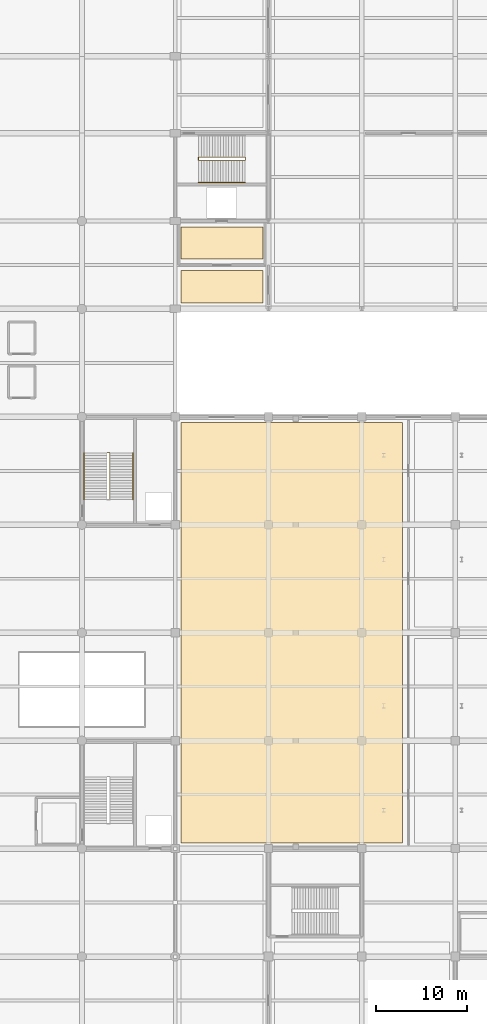
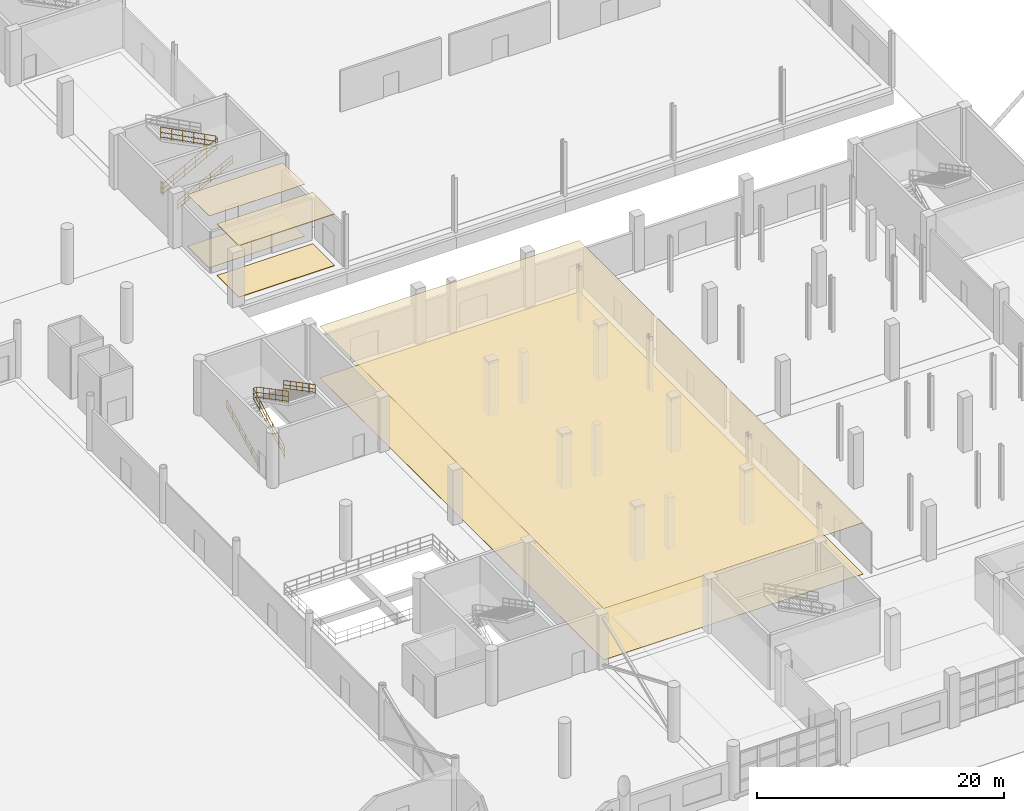
# One storey, part 120 of 124: 6 coverings, 6 railings.
"""IFC4 building model written with IfcOpenShell, lengths in metres."""

from ifc_helpers import new_model, si_unit, direction, frame, origin, origin_2d, place, context, subcontext, project, spatial, polyline, circle, outline, extrude, material, layer, layer_set, type_object, element, save


model = new_model("IFC4")

# Units and contexts
model_context = context("Model", 3, precision=1e-05, world=origin(), true_north=direction((0.0, 1.0)))
body_context = subcontext(model_context, "Body", "Model", "MODEL_VIEW")
ifc_project = project(units=[si_unit("LENGTHUNIT", "METRE"), si_unit("AREAUNIT", "SQUARE_METRE"), si_unit("VOLUMEUNIT", "CUBIC_METRE"), si_unit("PLANEANGLEUNIT", "RADIAN"), si_unit("MASSUNIT", "GRAM", prefix="KILO")], contexts=[model_context])

# Site, building, storey
site_placement = place(None, origin())
site = spatial("IfcSite", under=ifc_project, at=site_placement, CompositionType="ELEMENT")
building_placement = place(site_placement, origin())
building = spatial("IfcBuilding", under=site, at=building_placement, Name="Brelvane Convention Centre", CompositionType="ELEMENT")
storey_placement = place(building_placement, origin())
storey = spatial("IfcBuildingStorey", under=building, at=storey_placement, Name="L00", CompositionType="ELEMENT", Elevation=0.0)

# Coverings
ifc_material_1 = material(Name="Perforated Anodised Aluminium Alloy 6063 Acoustic Baffle", Category="aluminium")
ifc_layer_1 = layer(ifc_material_1, 0.074951171875)
ifc_layer_set_1 = layer_set([ifc_layer_1], Name="Perforated Anodised Aluminium Alloy 6063 Acoustic Baffle")
covering_type_1 = type_object("IfcCoveringType", Name="Interior Finish CL-BAF-75", PredefinedType="CEILING", material=ifc_layer_set_1)
covering_1_placement = place(storey_placement, frame((0.0, 0.0, 5.06494140625)))
element("IfcCovering", 1, at=covering_1_placement, inside=storey, type_object=covering_type_1, Name="Pre-function Foyer Ballroom Acoustic Ceiling (CL-BAF-75)", PredefinedType="CEILING", context=body_context, shape_type="SweptSolid", body=[
    extrude(outline(polyline([(163.830078125, 100.22998046875), (172.77001953125, 100.22998046875), (172.77001953125, 103.77001953125), (163.830078125, 103.77001953125), (163.830078125, 100.22998046875)])), origin(), (0.0, 0.0, 1.0), 0.074951171875),
])
ifc_material_2 = material(Name="Moisture-Resistant Acoustic Gypsum Ceiling Tile Grade A")
ifc_layer_2 = layer(ifc_material_2, 0.01806640625)
ifc_layer_set_2 = layer_set([ifc_layer_2], Name="Moisture-Resistant Acoustic Gypsum Ceiling Tile Grade A")
covering_type_2 = type_object("IfcCoveringType", Name="Interior Finish CL-GYP-18", PredefinedType="CEILING", material=ifc_layer_set_2)
covering_2_placement = place(storey_placement, frame((0.0, 0.0, 5.1220703125)))
element("IfcCovering", 2, at=covering_2_placement, inside=storey, type_object=covering_type_2, Name="Firefighting Lift Lobby C5 Acoustic Ceiling (CL-GYP-18)", PredefinedType="CEILING", context=body_context, shape_type="SweptSolid", body=[
    extrude(outline(polyline([(163.830078125, 105.030029296875), (172.77001953125, 105.030029296875), (172.77001953125, 108.570068359375), (163.830078125, 108.570068359375), (163.830078125, 105.030029296875)])), origin(), (0.0, 0.0, 1.0), 0.017822265625),
])
covering_3_placement = place(storey_placement, frame((0.0, 0.0, 5.06201171875)))
element("IfcCovering", 3, at=covering_3_placement, inside=storey, type_object=covering_type_2, Name="Pre-function Foyer Plenary Ground Acoustic Ceiling (CL-GYP-18)", PredefinedType="CEILING", context=body_context, shape_type="SweptSolid", body=[
    extrude(outline(polyline([(163.830078125, 41.22998046875), (188.070068359375, 41.22998046875), (188.070068359375, 87.169921875), (163.830078125, 87.169921875), (163.830078125, 41.22998046875)])), origin(), (0.0, 0.0, 1.0), 0.01806640625),
])
ifc_material_3 = material(Name="Solution-Dyed Heavy Contract Wool Carpet Class 1")
ifc_layer_3 = layer(ifc_material_3, 0.02197265625)
ifc_layer_set_3 = layer_set([ifc_layer_3], Name="Solution-Dyed Heavy Contract Wool Carpet Class 1")
covering_type_3 = type_object("IfcCoveringType", Name="Interior Finish FL-CPT-22", PredefinedType="FLOORING", material=ifc_layer_set_3)
covering_4_placement = place(storey_placement, origin())
element("IfcCovering", 4, at=covering_4_placement, inside=storey, type_object=covering_type_3, Name="Firefighting Lift Lobby C5 Floor Finish (FL-CPT-22)", PredefinedType="FLOORING", context=body_context, shape_type="SweptSolid", body=[
    extrude(outline(polyline([(163.830078125, 105.030029296875), (172.77001953125, 105.030029296875), (172.77001953125, 108.570068359375), (163.830078125, 108.570068359375), (163.830078125, 105.030029296875)])), origin(), (0.0, 0.0, 1.0), 0.02197265625),
])
covering_5_placement = place(storey_placement, origin())
element("IfcCovering", 5, at=covering_5_placement, inside=storey, type_object=covering_type_3, Name="Pre-function Foyer Plenary Ground Floor Finish (FL-CPT-22)", PredefinedType="FLOORING", context=body_context, shape_type="SweptSolid", body=[
    extrude(outline(polyline([(163.830078125, 41.22998046875), (188.070068359375, 41.22998046875), (188.070068359375, 87.169921875), (163.830078125, 87.169921875), (163.830078125, 41.22998046875)])), origin(), (0.0, 0.0, 1.0), 0.02197265625),
])
ifc_material_4 = material(Name="Polished Basalt-Aggregate Terrazzo Screed Concrete M30", Category="masonry")
ifc_layer_4 = layer(ifc_material_4, 0.050048828125)
ifc_layer_set_4 = layer_set([ifc_layer_4], Name="Polished Basalt-Aggregate Terrazzo Screed Concrete M30")
covering_type_4 = type_object("IfcCoveringType", Name="Interior Finish FL-TER-50", PredefinedType="FLOORING", material=ifc_layer_set_4)
covering_6_placement = place(storey_placement, origin())
element("IfcCovering", 6, at=covering_6_placement, inside=storey, type_object=covering_type_4, Name="Pre-function Foyer Ballroom Floor Finish (FL-TER-50)", PredefinedType="FLOORING", context=body_context, shape_type="SweptSolid", body=[
    extrude(outline(polyline([(163.830078125, 100.22998046875), (172.77001953125, 100.22998046875), (172.77001953125, 103.77001953125), (163.830078125, 103.77001953125), (163.830078125, 100.22998046875)])), origin(), (0.0, 0.0, 1.0), 0.050048828125),
])

# Railings
ifc_material_5 = material(Name="Steel E350 (350 MPa)", Category="steel")
railing_type_1 = type_object("IfcRailingType", Name="Stair Railing GR-ST-1", PredefinedType="GUARDRAIL", material=ifc_material_5)
railing_1_placement = place(storey_placement, frame((155.739990234375, 78.75, -0.02001953125)))
element("IfcRailing", 7, at=railing_1_placement, inside=storey, type_object=railing_type_1, Name="Stair ST-04 L00 Inner Well Guard", PredefinedType="GUARDRAIL", context=body_context, shape_type="SweptSolid", body=[
    extrude(circle(Radius=0.02392578125, at=origin_2d()), frame((0.0, 0.0, 1.1259765625), z_axis=(0.0, 0.882358787245, 0.470577273753), x_axis=(-1.0, 0.0, 0.0)), (0.0, 0.0, 1.0), 5.780029296875),
    extrude(circle(Radius=0.02392578125, at=origin_2d()), frame((0.0, 0.0, 0.597900390625), z_axis=(0.0, 0.882358787245, 0.470577273753), x_axis=(-1.0, 0.0, 0.0)), (0.0, 0.0, 1.0), 5.780029296875),
    extrude(circle(Radius=0.02392578125, at=origin_2d()), frame((0.0, 0.0, 0.139892578125), z_axis=(0.0, 0.882358787245, 0.470577273753), x_axis=(-1.0, 0.0, 0.0)), (0.0, 0.0, 1.0), 5.780029296875),
    extrude(circle(Radius=0.02392578125, at=origin_2d()), frame((0.0, 5.10009765625, 3.845947265625), z_axis=(1.0, 0.0, 0.0), x_axis=(0.0, 1.0, 0.0)), (0.0, 0.0, 1.0), 0.320068359375),
    extrude(circle(Radius=0.02392578125, at=origin_2d()), frame((0.0, 5.10009765625, 3.31787109375), z_axis=(1.0, 0.0, 0.0), x_axis=(0.0, 1.0, 0.0)), (0.0, 0.0, 1.0), 0.320068359375),
    extrude(circle(Radius=0.02392578125, at=origin_2d()), frame((0.0, 5.10009765625, 2.85986328125), z_axis=(1.0, 0.0, 0.0), x_axis=(0.0, 1.0, 0.0)), (0.0, 0.0, 1.0), 0.320068359375),
    extrude(circle(Radius=0.02392578125, at=origin_2d()), frame((0.320068359375, 5.10009765625, 3.845947265625), z_axis=(0.0, -0.885227801088, 0.465157758379), x_axis=(1.0, 0.0, 0.0)), (0.0, 0.0, 1.0), 5.76123046875),
    extrude(circle(Radius=0.02392578125, at=origin_2d()), frame((0.320068359375, 5.10009765625, 3.31787109375), z_axis=(0.0, -0.885227801088, 0.465157758379), x_axis=(1.0, 0.0, 0.0)), (0.0, 0.0, 1.0), 5.76123046875),
    extrude(circle(Radius=0.02392578125, at=origin_2d()), frame((0.320068359375, 5.10009765625, 2.85986328125), z_axis=(0.0, -0.885227801088, 0.465157758379), x_axis=(1.0, 0.0, 0.0)), (0.0, 0.0, 1.0), 5.76123046875),
    extrude(circle(Radius=0.02099609375, at=origin_2d()), origin(), (0.0, 0.0, 1.0), 1.101806640625),
    extrude(circle(Radius=0.02099609375, at=origin_2d()), frame((0.0, 1.02001953125, 0.5439453125)), (0.0, 0.0, 1.0), 1.101806640625),
    extrude(circle(Radius=0.02099609375, at=origin_2d()), frame((0.0, 2.0400390625, 1.087890625)), (0.0, 0.0, 1.0), 1.101806640625),
    extrude(circle(Radius=0.02099609375, at=origin_2d()), frame((0.0, 3.06005859375, 1.632080078125)), (0.0, 0.0, 1.0), 1.101806640625),
    extrude(circle(Radius=0.02099609375, at=origin_2d()), frame((0.0, 4.080078125, 2.176025390625)), (0.0, 0.0, 1.0), 1.101806640625),
    extrude(circle(Radius=0.02099609375, at=origin_2d()), frame((0.0, 5.10009765625, 2.719970703125)), (0.0, 0.0, 1.0), 1.101806640625),
    extrude(circle(Radius=0.02099609375, at=origin_2d()), frame((0.320068359375, 5.10009765625, 2.719970703125)), (0.0, 0.0, 1.0), 1.101806640625),
    extrude(circle(Radius=0.02099609375, at=origin_2d()), frame((0.320068359375, 4.080078125, 3.255859375)), (0.0, 0.0, 1.0), 1.101806640625),
    extrude(circle(Radius=0.02099609375, at=origin_2d()), frame((0.320068359375, 3.06005859375, 3.7919921875)), (0.0, 0.0, 1.0), 1.101806640625),
    extrude(circle(Radius=0.02099609375, at=origin_2d()), frame((0.320068359375, 2.0400390625, 4.327880859375)), (0.0, 0.0, 1.0), 1.101806640625),
    extrude(circle(Radius=0.02099609375, at=origin_2d()), frame((0.320068359375, 1.02001953125, 4.864013671875)), (0.0, 0.0, 1.0), 1.101806640625),
    extrude(circle(Radius=0.02099609375, at=origin_2d()), frame((0.320068359375, 0.0, 5.39990234375)), (0.0, 0.0, 1.0), 1.101806640625),
])
railing_2_placement = place(storey_placement, frame((165.75, 115.840087890625, -0.02001953125)))
element("IfcRailing", 8, at=railing_2_placement, inside=storey, type_object=railing_type_1, Name="Stair ST-05 L00 Inner Well Guard", PredefinedType="GUARDRAIL", context=body_context, shape_type="SweptSolid", body=[
    extrude(circle(Radius=0.02392578125, at=origin_2d()), frame((0.0, 0.0, 1.1259765625), z_axis=(0.882358787245, 0.0, 0.470577273753), x_axis=(0.0, 1.0, 0.0)), (0.0, 0.0, 1.0), 5.780029296875),
    extrude(circle(Radius=0.02392578125, at=origin_2d()), frame((0.0, 0.0, 0.597900390625), z_axis=(0.882358787245, 0.0, 0.470577273753), x_axis=(0.0, 1.0, 0.0)), (0.0, 0.0, 1.0), 5.780029296875),
    extrude(circle(Radius=0.02392578125, at=origin_2d()), frame((0.0, 0.0, 0.139892578125), z_axis=(0.882358787245, 0.0, 0.470577273753), x_axis=(0.0, 1.0, 0.0)), (0.0, 0.0, 1.0), 5.780029296875),
    extrude(circle(Radius=0.02392578125, at=origin_2d()), frame((5.10009765625, 0.0, 3.845947265625), z_axis=(0.0, 1.0, 0.0), x_axis=(-1.0, 0.0, 0.0)), (0.0, 0.0, 1.0), 0.31982421875),
    extrude(circle(Radius=0.02392578125, at=origin_2d()), frame((5.10009765625, 0.0, 3.31787109375), z_axis=(0.0, 1.0, 0.0), x_axis=(-1.0, 0.0, 0.0)), (0.0, 0.0, 1.0), 0.31982421875),
    extrude(circle(Radius=0.02392578125, at=origin_2d()), frame((5.10009765625, 0.0, 2.85986328125), z_axis=(0.0, 1.0, 0.0), x_axis=(-1.0, 0.0, 0.0)), (0.0, 0.0, 1.0), 0.31982421875),
    extrude(circle(Radius=0.02392578125, at=origin_2d()), frame((5.10009765625, 0.31982421875, 3.845947265625), z_axis=(-0.885227801088, 0.0, 0.465157758379), x_axis=(0.0, -1.0, 0.0)), (0.0, 0.0, 1.0), 5.76123046875),
    extrude(circle(Radius=0.02392578125, at=origin_2d()), frame((5.10009765625, 0.31982421875, 3.31787109375), z_axis=(-0.885227801088, 0.0, 0.465157758379), x_axis=(0.0, -1.0, 0.0)), (0.0, 0.0, 1.0), 5.76123046875),
    extrude(circle(Radius=0.02392578125, at=origin_2d()), frame((5.10009765625, 0.31982421875, 2.85986328125), z_axis=(-0.885227801088, 0.0, 0.465157758379), x_axis=(0.0, -1.0, 0.0)), (0.0, 0.0, 1.0), 5.76123046875),
    extrude(circle(Radius=0.02099609375, at=origin_2d()), origin(), (0.0, 0.0, 1.0), 1.101806640625),
    extrude(circle(Radius=0.02099609375, at=origin_2d()), frame((1.02001953125, 0.0, 0.5439453125)), (0.0, 0.0, 1.0), 1.101806640625),
    extrude(circle(Radius=0.02099609375, at=origin_2d()), frame((2.0400390625, 0.0, 1.087890625)), (0.0, 0.0, 1.0), 1.101806640625),
    extrude(circle(Radius=0.02099609375, at=origin_2d()), frame((3.06005859375, 0.0, 1.632080078125)), (0.0, 0.0, 1.0), 1.101806640625),
    extrude(circle(Radius=0.02099609375, at=origin_2d()), frame((4.080078125, 0.0, 2.176025390625)), (0.0, 0.0, 1.0), 1.101806640625),
    extrude(circle(Radius=0.02099609375, at=origin_2d()), frame((5.10009765625, 0.0, 2.719970703125)), (0.0, 0.0, 1.0), 1.101806640625),
    extrude(circle(Radius=0.02099609375, at=origin_2d()), frame((5.10009765625, 0.31982421875, 2.719970703125)), (0.0, 0.0, 1.0), 1.101806640625),
    extrude(circle(Radius=0.02099609375, at=origin_2d()), frame((4.080078125, 0.31982421875, 3.255859375)), (0.0, 0.0, 1.0), 1.101806640625),
    extrude(circle(Radius=0.02099609375, at=origin_2d()), frame((3.06005859375, 0.31982421875, 3.7919921875)), (0.0, 0.0, 1.0), 1.101806640625),
    extrude(circle(Radius=0.02099609375, at=origin_2d()), frame((2.0400390625, 0.31982421875, 4.327880859375)), (0.0, 0.0, 1.0), 1.101806640625),
    extrude(circle(Radius=0.02099609375, at=origin_2d()), frame((1.02001953125, 0.31982421875, 4.864013671875)), (0.0, 0.0, 1.0), 1.101806640625),
    extrude(circle(Radius=0.02099609375, at=origin_2d()), frame((0.0, 0.31982421875, 5.39990234375)), (0.0, 0.0, 1.0), 1.101806640625),
])
ifc_material_6 = material(Name="Steel E350 (350 MPa)", Category="steel")
railing_type_2 = type_object("IfcRailingType", Name="Stair Railing GR-ST-2", PredefinedType="GUARDRAIL", material=ifc_material_6)
railing_3_placement = place(storey_placement, frame((165.75, 115.840087890625, -0.02001953125)))
element("IfcRailing", 9, at=railing_3_placement, inside=storey, type_object=railing_type_2, Name="Stair ST-05 L00 Landing Well Guard", PredefinedType="GUARDRAIL", context=body_context, shape_type="SweptSolid", body=[
    extrude(circle(Radius=0.02392578125, at=origin_2d()), frame((0.0, 0.0, 1.15576171875), z_axis=(0.0, 1.0, 0.0), x_axis=(-1.0, 0.0, 0.0)), (0.0, 0.0, 1.0), 0.31982421875),
    extrude(circle(Radius=0.02392578125, at=origin_2d()), frame((0.0, 0.0, 0.613525390625), z_axis=(0.0, 1.0, 0.0), x_axis=(-1.0, 0.0, 0.0)), (0.0, 0.0, 1.0), 0.31982421875),
    extrude(circle(Radius=0.02392578125, at=origin_2d()), frame((0.0, 0.0, 0.139892578125), z_axis=(0.0, 1.0, 0.0), x_axis=(-1.0, 0.0, 0.0)), (0.0, 0.0, 1.0), 0.31982421875),
    extrude(circle(Radius=0.02099609375, at=origin_2d()), origin(), (0.0, 0.0, 1.0), 1.1318359375),
    extrude(circle(Radius=0.02099609375, at=origin_2d()), frame((0.0, 0.31982421875, 0.0)), (0.0, 0.0, 1.0), 1.1318359375),
])
ifc_material_7 = material(Name="Steel E350 (350 MPa)", Category="steel")
railing_type_3 = type_object("IfcRailingType", Name="Stair Railing HR-ST-1", PredefinedType="HANDRAIL", material=ifc_material_7)
railing_4_placement = place(storey_placement, frame((153.22998046875, 78.75, -0.02001953125)))
element("IfcRailing", 10, at=railing_4_placement, inside=storey, type_object=railing_type_3, Name="Stair ST-04 L00 Outer Handrail F1", PredefinedType="HANDRAIL", context=body_context, shape_type="SweptSolid", body=[
    extrude(circle(Radius=0.02392578125, at=origin_2d()), frame((0.0, 0.0, 0.89599609375), z_axis=(0.0, 0.882358787245, 0.470577273753), x_axis=(-1.0, 0.0, 0.0)), (0.0, 0.0, 1.0), 5.780029296875),
    extrude(circle(Radius=0.02392578125, at=origin_2d()), frame((0.0, 0.0, 0.478271484375), z_axis=(0.0, 0.882358787245, 0.470577273753), x_axis=(-1.0, 0.0, 0.0)), (0.0, 0.0, 1.0), 5.780029296875),
    extrude(circle(Radius=0.02392578125, at=origin_2d()), frame((0.0, 0.0, 0.139892578125), z_axis=(0.0, 0.882358787245, 0.470577273753), x_axis=(-1.0, 0.0, 0.0)), (0.0, 0.0, 1.0), 5.780029296875),
    extrude(circle(Radius=0.02099609375, at=origin_2d()), origin(), (0.0, 0.0, 1.0), 0.871826171875),
    extrude(circle(Radius=0.02099609375, at=origin_2d()), frame((0.0, 1.02001953125, 0.5439453125)), (0.0, 0.0, 1.0), 0.871826171875),
    extrude(circle(Radius=0.02099609375, at=origin_2d()), frame((0.0, 2.0400390625, 1.087890625)), (0.0, 0.0, 1.0), 0.871826171875),
    extrude(circle(Radius=0.02099609375, at=origin_2d()), frame((0.0, 3.06005859375, 1.632080078125)), (0.0, 0.0, 1.0), 0.871826171875),
    extrude(circle(Radius=0.02099609375, at=origin_2d()), frame((0.0, 4.080078125, 2.176025390625)), (0.0, 0.0, 1.0), 0.871826171875),
    extrude(circle(Radius=0.02099609375, at=origin_2d()), frame((0.0, 5.10009765625, 2.719970703125)), (0.0, 0.0, 1.0), 0.871826171875),
])
railing_5_placement = place(storey_placement, frame((158.570068359375, 83.85009765625, 2.699951171875)))
element("IfcRailing", 11, at=railing_5_placement, inside=storey, type_object=railing_type_3, Name="Stair ST-04 L00 Outer Handrail F2", PredefinedType="HANDRAIL", context=body_context, shape_type="SweptSolid", body=[
    extrude(circle(Radius=0.02392578125, at=origin_2d()), frame((0.0, 0.0, 0.89599609375), z_axis=(0.0, -0.885227801088, 0.465157758379), x_axis=(1.0, 0.0, 0.0)), (0.0, 0.0, 1.0), 5.76123046875),
    extrude(circle(Radius=0.02392578125, at=origin_2d()), frame((0.0, 0.0, 0.478271484375), z_axis=(0.0, -0.885227801088, 0.465157758379), x_axis=(1.0, 0.0, 0.0)), (0.0, 0.0, 1.0), 5.76123046875),
    extrude(circle(Radius=0.02392578125, at=origin_2d()), frame((0.0, 0.0, 0.139892578125), z_axis=(0.0, -0.885227801088, 0.465157758379), x_axis=(1.0, 0.0, 0.0)), (0.0, 0.0, 1.0), 5.76123046875),
    extrude(circle(Radius=0.02099609375, at=origin_2d()), origin(), (0.0, 0.0, 1.0), 0.871826171875),
    extrude(circle(Radius=0.02099609375, at=origin_2d()), frame((0.0, -1.02001953125, 0.535888671875)), (0.0, 0.0, 1.0), 0.871826171875),
    extrude(circle(Radius=0.02099609375, at=origin_2d()), frame((0.0, -2.0400390625, 1.072021484375)), (0.0, 0.0, 1.0), 0.871826171875),
    extrude(circle(Radius=0.02099609375, at=origin_2d()), frame((0.0, -3.06005859375, 1.60791015625)), (0.0, 0.0, 1.0), 0.871826171875),
    extrude(circle(Radius=0.02099609375, at=origin_2d()), frame((0.0, -4.080078125, 2.14404296875)), (0.0, 0.0, 1.0), 0.871826171875),
    extrude(circle(Radius=0.02099609375, at=origin_2d()), frame((0.0, -5.10009765625, 2.679931640625)), (0.0, 0.0, 1.0), 0.871826171875),
])
railing_6_placement = place(storey_placement, frame((165.75, 113.429931640625, -0.02001953125)))
element("IfcRailing", 12, at=railing_6_placement, inside=storey, type_object=railing_type_3, Name="Stair ST-05 L00 Outer Handrail F1", PredefinedType="HANDRAIL", context=body_context, shape_type="SweptSolid", body=[
    extrude(circle(Radius=0.02392578125, at=origin_2d()), frame((0.0, 0.0, 0.89599609375), z_axis=(0.882358787245, 0.0, 0.470577273753), x_axis=(0.0, 1.0, 0.0)), (0.0, 0.0, 1.0), 5.780029296875),
    extrude(circle(Radius=0.02392578125, at=origin_2d()), frame((0.0, 0.0, 0.478271484375), z_axis=(0.882358787245, 0.0, 0.470577273753), x_axis=(0.0, 1.0, 0.0)), (0.0, 0.0, 1.0), 5.780029296875),
    extrude(circle(Radius=0.02392578125, at=origin_2d()), frame((0.0, 0.0, 0.139892578125), z_axis=(0.882358787245, 0.0, 0.470577273753), x_axis=(0.0, 1.0, 0.0)), (0.0, 0.0, 1.0), 5.780029296875),
    extrude(circle(Radius=0.02099609375, at=origin_2d()), origin(), (0.0, 0.0, 1.0), 0.871826171875),
    extrude(circle(Radius=0.02099609375, at=origin_2d()), frame((1.02001953125, 0.0, 0.5439453125)), (0.0, 0.0, 1.0), 0.871826171875),
    extrude(circle(Radius=0.02099609375, at=origin_2d()), frame((2.0400390625, 0.0, 1.087890625)), (0.0, 0.0, 1.0), 0.871826171875),
    extrude(circle(Radius=0.02099609375, at=origin_2d()), frame((3.06005859375, 0.0, 1.632080078125)), (0.0, 0.0, 1.0), 0.871826171875),
    extrude(circle(Radius=0.02099609375, at=origin_2d()), frame((4.080078125, 0.0, 2.176025390625)), (0.0, 0.0, 1.0), 0.871826171875),
    extrude(circle(Radius=0.02099609375, at=origin_2d()), frame((5.10009765625, 0.0, 2.719970703125)), (0.0, 0.0, 1.0), 0.871826171875),
])

save(model, "model.ifc")
